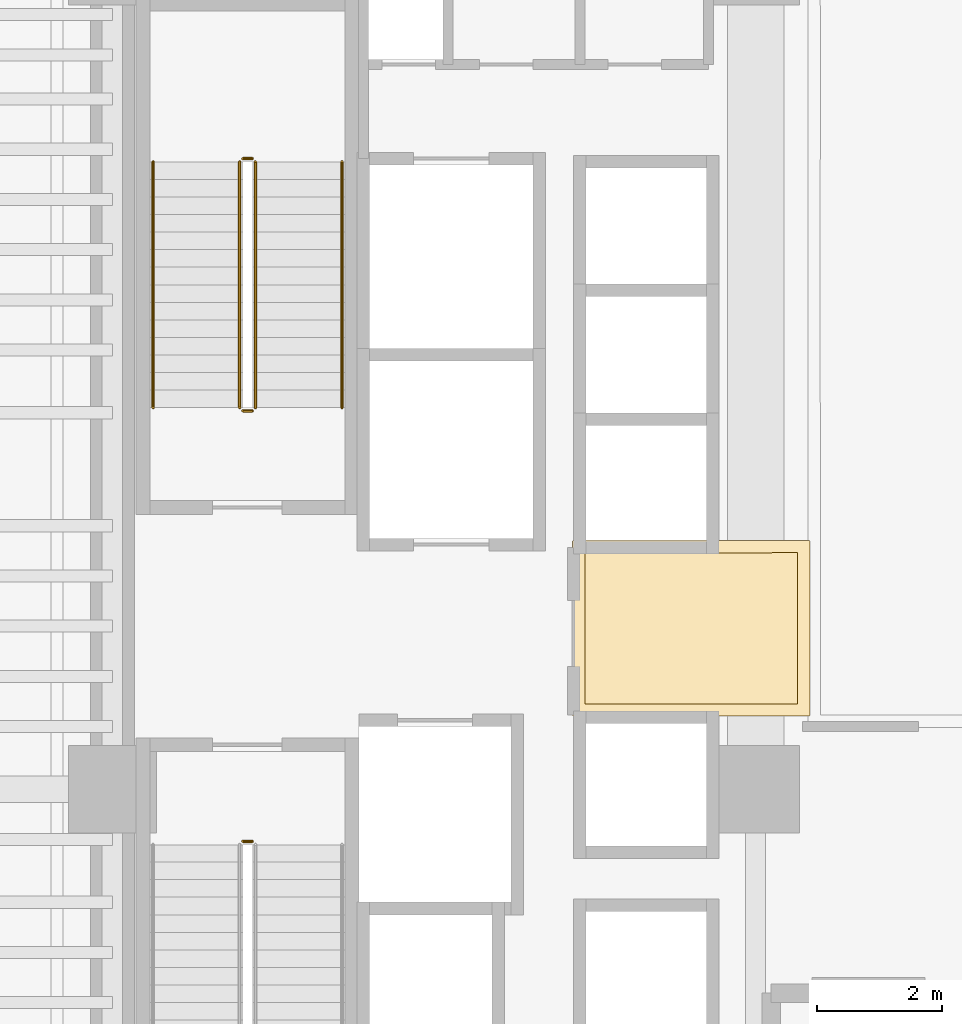
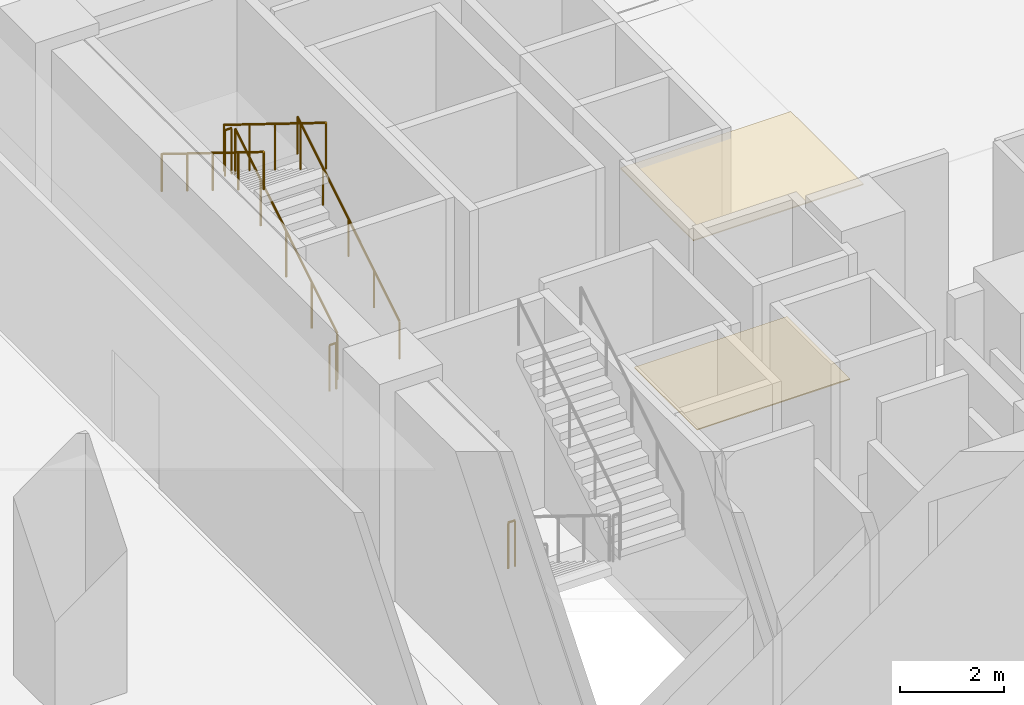
# One storey, part 33 of 39: 7 railings, 2 coverings.
"""IFC4 building model written with IfcOpenShell, lengths in metres."""

from ifc_helpers import new_model, si_unit, direction, frame, origin, origin_2d, place, context, subcontext, project, spatial, polyline, circle, outline, extrude, material, layer, layer_set, type_object, element, save


model = new_model("IFC4")

# Units and contexts
model_context = context("Model", 3, precision=1e-05, world=origin(), true_north=direction((0.0, 1.0)))
body_context = subcontext(model_context, "Body", "Model", "MODEL_VIEW")
ifc_project = project(units=[si_unit("LENGTHUNIT", "METRE"), si_unit("AREAUNIT", "SQUARE_METRE"), si_unit("VOLUMEUNIT", "CUBIC_METRE"), si_unit("PLANEANGLEUNIT", "RADIAN"), si_unit("MASSUNIT", "GRAM", prefix="KILO")], contexts=[model_context])

# Site, building, storey
site_placement = place(None, origin())
site = spatial("IfcSite", under=ifc_project, at=site_placement, CompositionType="ELEMENT")
building_placement = place(site_placement, origin())
building = spatial("IfcBuilding", under=site, at=building_placement, Name="Valdorenza Pilgrim Sanctuary Tower", CompositionType="ELEMENT")
storey_placement = place(building_placement, frame((0.0, 0.0, 5.199951171875)))
storey = spatial("IfcBuildingStorey", under=building, at=storey_placement, Name="L01", CompositionType="ELEMENT", Elevation=5.199951171875)

# Coverings
ifc_material_1 = material(Name="Micro-perforated acoustic mineral ceiling tile", Category="gypsum")
ifc_layer_1 = layer(ifc_material_1, 0.02490234375, Name="Micro-perforated acoustic mineral ceiling tile")
ifc_layer_set_1 = layer_set([ifc_layer_1], Name="Micro-perforated acoustic mineral ceiling tile")
covering_type_1 = type_object("IfcCoveringType", Name="COV-CLG-ACU", PredefinedType="CEILING", material=ifc_layer_set_1)
covering_1_placement = place(storey_placement, frame((0.0, 0.0, 4.6201171875)))
element("IfcCovering", 1, at=covering_1_placement, inside=storey, type_object=covering_type_1, Name="L01 Core A Passenger Lift Lobby Acoustic Ceiling", PredefinedType="CEILING", context=body_context, shape_type="SweptSolid", body=[
    extrude(outline(polyline([(-15.31298828125, 1.244384765625), (-15.31298828125, 1.24462890625), (-15.313720703125, 1.24609375), (-15.314208984375, 1.24755859375), (-15.314697265625, 1.2490234375), (-15.31494140625, 1.25048828125), (-15.31494140625, 1.251953125), (-15.31494140625, 1.35009765625), (-15.31494140625, 1.3515625), (-15.314697265625, 1.352783203125), (-15.314453125, 1.3544921875), (-15.31396484375, 1.355712890625), (-15.313232421875, 1.357177734375), (-15.3125, 1.3583984375), (-15.3115234375, 1.359619140625), (-15.310546875, 1.360595703125), (-15.3095703125, 1.361572265625), (-15.308349609375, 1.362548828125), (-15.30712890625, 1.36328125), (-15.3056640625, 1.364013671875), (-15.304443359375, 1.364501953125), (-15.302978515625, 1.36474609375), (-15.301513671875, 1.364990234375), (-15.300048828125, 1.364990234375), (-15.10205078125, 1.364990234375), (-15.1005859375, 1.364990234375), (-15.09912109375, 1.36474609375), (-15.097412109375, 1.3642578125), (-15.09619140625, 1.36376953125), (-15.0947265625, 1.363037109375), (-15.094482421875, 1.363037109375), (-13.185546875, 1.363037109375), (-13.185302734375, 1.363037109375), (-13.183837890625, 1.36376953125), (-13.1826171875, 1.3642578125), (-13.180908203125, 1.36474609375), (-13.179443359375, 1.364990234375), (-13.177978515625, 1.364990234375), (-11.550048828125, 1.364990234375), (-11.548583984375, 1.364990234375), (-11.547119140625, 1.36474609375), (-11.545654296875, 1.364501953125), (-11.544189453125, 1.364013671875), (-11.54296875, 1.36328125), (-11.541748046875, 1.362548828125), (-11.54052734375, 1.361572265625), (-11.539306640625, 1.360595703125), (-11.538330078125, 1.359619140625), (-11.53759765625, 1.3583984375), (-11.536865234375, 1.357177734375), (-11.5361328125, 1.355712890625), (-11.53564453125, 1.3544921875), (-11.535400390625, 1.352783203125), (-11.53515625, 1.3515625), (-11.534912109375, 1.35009765625), (-11.534912109375, -1.419921875), (-11.53515625, -1.42138671875), (-11.535400390625, -1.4228515625), (-11.53564453125, -1.42431640625), (-11.5361328125, -1.42578125), (-11.536865234375, -1.427001953125), (-11.53759765625, -1.42822265625), (-11.538330078125, -1.429443359375), (-11.539306640625, -1.4306640625), (-11.54052734375, -1.431640625), (-11.541748046875, -1.4326171875), (-11.54296875, -1.43310546875), (-11.544189453125, -1.433837890625), (-11.545654296875, -1.434326171875), (-11.547119140625, -1.434814453125), (-11.548583984375, -1.434814453125), (-11.550048828125, -1.43505859375), (-15.298095703125, -1.43505859375), (-15.299560546875, -1.434814453125), (-15.30078125, -1.434814453125), (-15.302490234375, -1.434326171875), (-15.3037109375, -1.433837890625), (-15.30517578125, -1.43310546875), (-15.306396484375, -1.4326171875), (-15.3076171875, -1.431640625), (-15.30859375, -1.4306640625), (-15.3095703125, -1.429443359375), (-15.310546875, -1.42822265625), (-15.311279296875, -1.427001953125), (-15.31201171875, -1.42578125), (-15.3125, -1.42431640625), (-15.312744140625, -1.4228515625), (-15.31298828125, -1.42138671875), (-15.31298828125, -1.419921875), (-15.31298828125, 1.244384765625)])), origin(), (0.0, 0.0, 1.0), 0.02490234375),
])
ifc_material_2 = material(Name="Honed travertine stone flooring", Category="masonry")
ifc_layer_2 = layer(ifc_material_2, 0.030029296875, Name="Honed travertine stone flooring")
ifc_layer_set_2 = layer_set([ifc_layer_2], Name="Honed travertine stone flooring")
covering_type_2 = type_object("IfcCoveringType", Name="COV-FLR-TRV", PredefinedType="FLOORING", material=ifc_layer_set_2)
covering_2_placement = place(storey_placement, origin())
element("IfcCovering", 2, at=covering_2_placement, inside=storey, type_object=covering_type_2, Name="L01 Core A Passenger Lift Lobby Flooring", PredefinedType="FLOORING", context=body_context, shape_type="SweptSolid", body=[
    extrude(outline(polyline([(-15.117919921875, 1.169189453125), (-15.10888671875, 1.168212890625), (-15.10888671875, 1.168212890625), (-15.10009765625, 1.16796875), (-13.179931640625, 1.16796875), (-13.1796875, 1.16796875), (-11.72998046875, 1.169921875), (-11.72998046875, -1.239990234375), (-15.117919921875, -1.239990234375), (-15.117919921875, 1.169189453125)])), origin(), (0.0, 0.0, 1.0), 0.025146484375),
])

# Railings
ifc_material_3 = material(Name="Stainless steel Grade 316", Category="steel")
railing_type_1 = type_object("IfcRailingType", Name="RLG-GRD-1120", PredefinedType="GUARDRAIL", material=ifc_material_3)
railing_1_placement = place(storey_placement, frame((-20.3701171875, 3.47998046875, 0.17333984375)))
element("IfcRailing", 3, at=railing_1_placement, inside=storey, type_object=railing_type_1, Name="L01 ST-A1 stair guard 1", PredefinedType="GUARDRAIL", context=body_context, shape_type="SweptSolid", body=[
    extrude(circle(Radius=0.02392578125, at=origin_2d()), frame((0.0, 0.0, 1.076171875), z_axis=(0.0, 0.850251603719, 0.526376491091), x_axis=(-1.0, 0.0, 0.0)), (0.0, 0.0, 1.0), 4.6103515625),
    extrude(circle(Radius=0.02099609375, at=origin_2d()), origin(), (0.0, 0.0, 1.0), 1.052001953125),
    extrude(circle(Radius=0.02099609375, at=origin_2d()), frame((0.0, 0.97998046875, 0.606689453125)), (0.0, 0.0, 1.0), 1.052001953125),
    extrude(circle(Radius=0.02099609375, at=origin_2d()), frame((0.0, 1.9599609375, 1.21337890625)), (0.0, 0.0, 1.0), 1.052001953125),
    extrude(circle(Radius=0.02099609375, at=origin_2d()), frame((0.0, 2.93994140625, 1.820068359375)), (0.0, 0.0, 1.0), 1.052001953125),
    extrude(circle(Radius=0.02099609375, at=origin_2d()), frame((0.0, 3.919921875, 2.4267578125)), (0.0, 0.0, 1.0), 1.052001953125),
])
railing_2_placement = place(storey_placement, frame((-20.419921875, 7.449951171875, 2.60009765625)))
element("IfcRailing", 4, at=railing_2_placement, inside=storey, type_object=railing_type_1, Name="L01 ST-A1 stair guard 2", PredefinedType="GUARDRAIL", context=body_context, shape_type="SweptSolid", body=[
    extrude(circle(Radius=0.02392578125, at=origin_2d()), frame((0.0, 0.0, 1.076171875), z_axis=(-1.0, 0.0, 0.0), x_axis=(0.0, -1.0, 0.0)), (0.0, 0.0, 1.0), 0.150146484375),
    extrude(circle(Radius=0.02099609375, at=origin_2d()), origin(), (0.0, 0.0, 1.0), 1.052001953125),
    extrude(circle(Radius=0.02099609375, at=origin_2d()), frame((-0.150146484375, 0.0, 0.0)), (0.0, 0.0, 1.0), 1.052001953125),
])
railing_3_placement = place(storey_placement, frame((-20.6201171875, 7.39990234375, 2.7734375)))
element("IfcRailing", 5, at=railing_3_placement, inside=storey, type_object=railing_type_1, Name="L01 ST-A1 stair guard 3", PredefinedType="GUARDRAIL", context=body_context, shape_type="SweptSolid", body=[
    extrude(circle(Radius=0.02392578125, at=origin_2d()), frame((0.0, 0.0, 1.076171875), z_axis=(0.0, -0.850275303828, 0.526338206574), x_axis=(1.0, 0.0, 0.0)), (0.0, 0.0, 1.0), 4.610107421875),
    extrude(circle(Radius=0.02099609375, at=origin_2d()), origin(), (0.0, 0.0, 1.0), 1.052001953125),
    extrude(circle(Radius=0.02099609375, at=origin_2d()), frame((0.0, -0.97998046875, 0.606689453125)), (0.0, 0.0, 1.0), 1.052001953125),
    extrude(circle(Radius=0.02099609375, at=origin_2d()), frame((0.0, -1.9599609375, 1.21337890625)), (0.0, 0.0, 1.0), 1.052001953125),
    extrude(circle(Radius=0.02099609375, at=origin_2d()), frame((0.0, -2.93994140625, 1.81982421875)), (0.0, 0.0, 1.0), 1.052001953125),
    extrude(circle(Radius=0.02099609375, at=origin_2d()), frame((0.0, -3.919921875, 2.426513671875)), (0.0, 0.0, 1.0), 1.052001953125),
])
railing_4_placement = place(storey_placement, frame((-20.419921875, 3.429931640625, 0.0)))
element("IfcRailing", 6, at=railing_4_placement, inside=storey, type_object=railing_type_1, Name="L01 ST-A1 stair guard 4", PredefinedType="GUARDRAIL", context=body_context, shape_type="SweptSolid", body=[
    extrude(circle(Radius=0.02392578125, at=origin_2d()), frame((0.0, 0.0, 1.076171875), z_axis=(-1.0, 0.0, 0.0), x_axis=(0.0, -1.0, 0.0)), (0.0, 0.0, 1.0), 0.150146484375),
    extrude(circle(Radius=0.02099609375, at=origin_2d()), origin(), (0.0, 0.0, 1.0), 1.052001953125),
    extrude(circle(Radius=0.02099609375, at=origin_2d()), frame((-0.150146484375, 0.0, 0.0)), (0.0, 0.0, 1.0), 1.052001953125),
])
railing_5_placement = place(storey_placement, frame((-20.570068359375, -3.429931640625, 0.0)))
element("IfcRailing", 7, at=railing_5_placement, inside=storey, type_object=railing_type_1, Name="L01 ST-A2 stair guard 4", PredefinedType="GUARDRAIL", context=body_context, shape_type="SweptSolid", body=[
    extrude(circle(Radius=0.02392578125, at=origin_2d()), frame((0.0, 0.0, 1.076171875), z_axis=(1.0, 0.0, 0.0), x_axis=(0.0, 1.0, 0.0)), (0.0, 0.0, 1.0), 0.150146484375),
    extrude(circle(Radius=0.02099609375, at=origin_2d()), origin(), (0.0, 0.0, 1.0), 1.052001953125),
    extrude(circle(Radius=0.02099609375, at=origin_2d()), frame((0.150146484375, 0.0, 0.0)), (0.0, 0.0, 1.0), 1.052001953125),
])
ifc_material_4 = material(Name="Brushed stainless steel Grade 316", Category="steel")
railing_type_2 = type_object("IfcRailingType", Name="RLG-HND-920", PredefinedType="HANDRAIL", material=ifc_material_4)
railing_6_placement = place(storey_placement, frame((-18.989990234375, 3.47998046875, 0.17333984375)))
element("IfcRailing", 8, at=railing_6_placement, inside=storey, type_object=railing_type_2, Name="L01 ST-A1 stair handrail 1", PredefinedType="HANDRAIL", context=body_context, shape_type="SweptSolid", body=[
    extrude(circle(Radius=0.02392578125, at=origin_2d()), frame((0.0, 0.0, 0.8759765625), z_axis=(0.0, 0.850251603719, 0.526376491091), x_axis=(-1.0, 0.0, 0.0)), (0.0, 0.0, 1.0), 4.6103515625),
    extrude(circle(Radius=0.02099609375, at=origin_2d()), origin(), (0.0, 0.0, 1.0), 0.851806640625),
    extrude(circle(Radius=0.02099609375, at=origin_2d()), frame((0.0, 0.97998046875, 0.606689453125)), (0.0, 0.0, 1.0), 0.851806640625),
    extrude(circle(Radius=0.02099609375, at=origin_2d()), frame((0.0, 1.9599609375, 1.21337890625)), (0.0, 0.0, 1.0), 0.851806640625),
    extrude(circle(Radius=0.02099609375, at=origin_2d()), frame((0.0, 2.93994140625, 1.820068359375)), (0.0, 0.0, 1.0), 0.851806640625),
    extrude(circle(Radius=0.02099609375, at=origin_2d()), frame((0.0, 3.919921875, 2.4267578125)), (0.0, 0.0, 1.0), 0.851806640625),
])
railing_7_placement = place(storey_placement, frame((-22.0, 7.39990234375, 2.7734375)))
element("IfcRailing", 9, at=railing_7_placement, inside=storey, type_object=railing_type_2, Name="L01 ST-A1 stair handrail 2", PredefinedType="HANDRAIL", context=body_context, shape_type="SweptSolid", body=[
    extrude(circle(Radius=0.02392578125, at=origin_2d()), frame((0.0, 0.0, 0.8759765625), z_axis=(0.0, -0.850275303828, 0.526338206574), x_axis=(1.0, 0.0, 0.0)), (0.0, 0.0, 1.0), 4.610107421875),
    extrude(circle(Radius=0.02099609375, at=origin_2d()), origin(), (0.0, 0.0, 1.0), 0.851806640625),
    extrude(circle(Radius=0.02099609375, at=origin_2d()), frame((0.0, -0.97998046875, 0.606689453125)), (0.0, 0.0, 1.0), 0.851806640625),
    extrude(circle(Radius=0.02099609375, at=origin_2d()), frame((0.0, -1.9599609375, 1.21337890625)), (0.0, 0.0, 1.0), 0.851806640625),
    extrude(circle(Radius=0.02099609375, at=origin_2d()), frame((0.0, -2.93994140625, 1.81982421875)), (0.0, 0.0, 1.0), 0.851806640625),
    extrude(circle(Radius=0.02099609375, at=origin_2d()), frame((0.0, -3.919921875, 2.426513671875)), (0.0, 0.0, 1.0), 0.851806640625),
])

save(model, "model.ifc")
